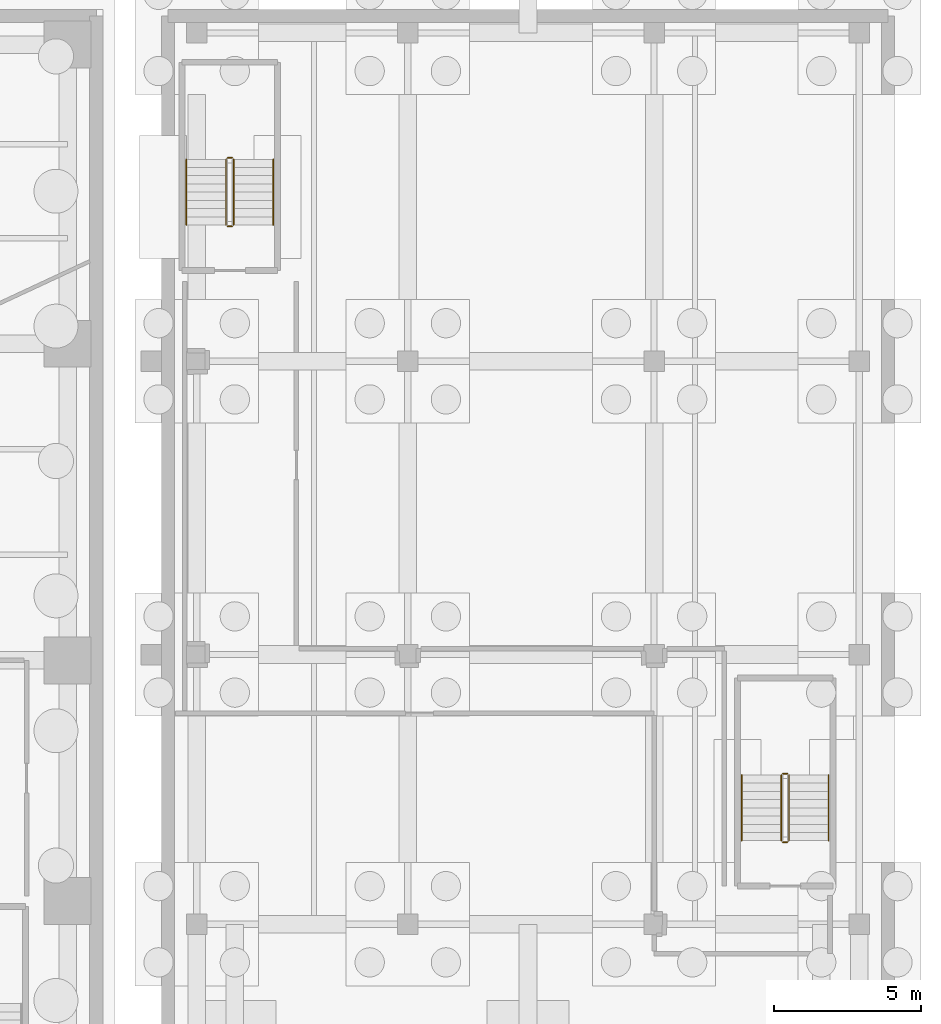
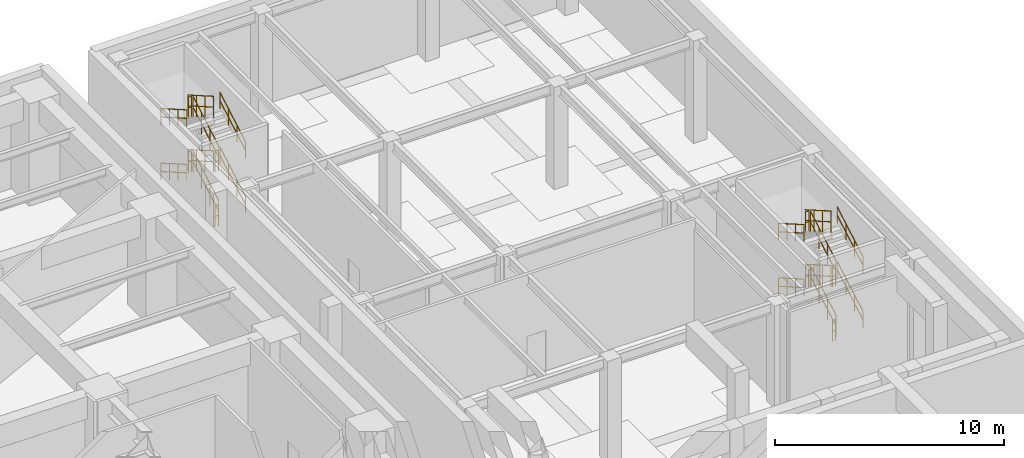
# One storey, part 14 of 15: 24 railings.
"""IFC4 building model written with IfcOpenShell, lengths in metres."""

from ifc_helpers import new_model, si_unit, direction, frame, origin, origin_2d, place, context, subcontext, project, spatial, circle, extrude, material, type_object, element, save


model = new_model("IFC4")

# Units and contexts
model_context = context("Model", 3, precision=1e-05, world=origin(), true_north=direction((0.0, 1.0)))
body_context = subcontext(model_context, "Body", "Model", "MODEL_VIEW")
ifc_project = project(units=[si_unit("LENGTHUNIT", "METRE"), si_unit("AREAUNIT", "SQUARE_METRE"), si_unit("VOLUMEUNIT", "CUBIC_METRE"), si_unit("PLANEANGLEUNIT", "RADIAN"), si_unit("MASSUNIT", "GRAM", prefix="KILO")], contexts=[model_context])

# Site, building, storey
site_placement = place(None, origin())
site = spatial("IfcSite", under=ifc_project, at=site_placement, CompositionType="ELEMENT")
building_placement = place(site_placement, origin())
building = spatial("IfcBuilding", under=site, at=building_placement, Name="Talar Marvaseh", CompositionType="ELEMENT")
storey_placement = place(building_placement, frame((0.0, 0.0, -11.60009765625)))
storey = spatial("IfcBuildingStorey", under=building, at=storey_placement, Name="B02", CompositionType="ELEMENT", Elevation=-11.60009765625)

# Railings
ifc_material = material(Name="Stainless Steel Grade 316", Category="steel")
railing_type_1 = type_object("IfcRailingType", Name="Brushed Stainless Wall Pitch Handrail 900", PredefinedType="HANDRAIL", material=ifc_material)
railing_1_placement = place(storey_placement, frame((57.81005859375, 40.64990234375, 0.1611328125)))
element("IfcRailing", 1, at=railing_1_placement, inside=storey, type_object=railing_type_1, Name="B02 MH-ST1 stair handrail 1", PredefinedType="HANDRAIL", context=body_context, shape_type="SweptSolid", body=[
    extrude(circle(Radius=0.02392578125, at=origin_2d()), frame((0.0, 0.0, 0.8759765625), z_axis=(0.0, 0.866727653441, 0.498781690482), x_axis=(-1.0, 0.0, 0.0)), (0.0, 0.0, 1.0), 2.58447265625),
    extrude(circle(Radius=0.02392578125, at=origin_2d()), frame((0.0, 0.0, 0.42578125), z_axis=(0.0, 0.866727653441, 0.498781690482), x_axis=(-1.0, 0.0, 0.0)), (0.0, 0.0, 1.0), 2.58447265625),
    extrude(circle(Radius=0.02099609375, at=origin_2d()), origin(), (0.0, 0.0, 1.0), 0.851806640625),
    extrude(circle(Radius=0.02099609375, at=origin_2d()), frame((0.0, 0.74658203125, 0.4296875)), (0.0, 0.0, 1.0), 0.851806640625),
    extrude(circle(Radius=0.02099609375, at=origin_2d()), frame((0.0, 1.493408203125, 0.859375)), (0.0, 0.0, 1.0), 0.851806640625),
    extrude(circle(Radius=0.02099609375, at=origin_2d()), frame((0.0, 2.239990234375, 1.2890625)), (0.0, 0.0, 1.0), 0.851806640625),
])
railing_2_placement = place(storey_placement, frame((54.85009765625, 42.889892578125, 1.611328125)))
element("IfcRailing", 2, at=railing_2_placement, inside=storey, type_object=railing_type_1, Name="B02 MH-ST1 stair handrail 2", PredefinedType="HANDRAIL", context=body_context, shape_type="SweptSolid", body=[
    extrude(circle(Radius=0.02392578125, at=origin_2d()), frame((0.0, 0.0, 0.8759765625), z_axis=(0.0, -0.866768490956, 0.498710720845), x_axis=(1.0, 0.0, 0.0)), (0.0, 0.0, 1.0), 2.584228515625),
    extrude(circle(Radius=0.02392578125, at=origin_2d()), frame((0.0, 0.0, 0.42578125), z_axis=(0.0, -0.866768490956, 0.498710720845), x_axis=(1.0, 0.0, 0.0)), (0.0, 0.0, 1.0), 2.584228515625),
    extrude(circle(Radius=0.02099609375, at=origin_2d()), origin(), (0.0, 0.0, 1.0), 0.851806640625),
    extrude(circle(Radius=0.02099609375, at=origin_2d()), frame((0.0, -0.74658203125, 0.4296875)), (0.0, 0.0, 1.0), 0.851806640625),
    extrude(circle(Radius=0.02099609375, at=origin_2d()), frame((0.0, -1.493408203125, 0.859130859375)), (0.0, 0.0, 1.0), 0.851806640625),
    extrude(circle(Radius=0.02099609375, at=origin_2d()), frame((0.0, -2.239990234375, 1.288818359375)), (0.0, 0.0, 1.0), 0.851806640625),
])
railing_3_placement = place(storey_placement, frame((57.81005859375, 40.64990234375, 3.061279296875)))
element("IfcRailing", 3, at=railing_3_placement, inside=storey, type_object=railing_type_1, Name="B02 MH-ST1 stair handrail 3", PredefinedType="HANDRAIL", context=body_context, shape_type="SweptSolid", body=[
    extrude(circle(Radius=0.02392578125, at=origin_2d()), frame((0.0, 0.0, 0.8759765625), z_axis=(0.0, 0.866768490956, 0.498710720845), x_axis=(-1.0, 0.0, 0.0)), (0.0, 0.0, 1.0), 2.584228515625),
    extrude(circle(Radius=0.02392578125, at=origin_2d()), frame((0.0, 0.0, 0.42578125), z_axis=(0.0, 0.866768490956, 0.498710720845), x_axis=(-1.0, 0.0, 0.0)), (0.0, 0.0, 1.0), 2.584228515625),
    extrude(circle(Radius=0.02099609375, at=origin_2d()), origin(), (0.0, 0.0, 1.0), 0.851806640625),
    extrude(circle(Radius=0.02099609375, at=origin_2d()), frame((0.0, 0.74658203125, 0.4296875)), (0.0, 0.0, 1.0), 0.851806640625),
    extrude(circle(Radius=0.02099609375, at=origin_2d()), frame((0.0, 1.493408203125, 0.859130859375)), (0.0, 0.0, 1.0), 0.851806640625),
    extrude(circle(Radius=0.02099609375, at=origin_2d()), frame((0.0, 2.239990234375, 1.288818359375)), (0.0, 0.0, 1.0), 0.851806640625),
])
railing_4_placement = place(storey_placement, frame((54.85009765625, 42.889892578125, 4.51123046875)))
element("IfcRailing", 4, at=railing_4_placement, inside=storey, type_object=railing_type_1, Name="B02 MH-ST1 stair handrail 4", PredefinedType="HANDRAIL", context=body_context, shape_type="SweptSolid", body=[
    extrude(circle(Radius=0.02392578125, at=origin_2d()), frame((0.0, 0.0, 0.8759765625), z_axis=(0.0, -0.866768490956, 0.498710720845), x_axis=(1.0, 0.0, 0.0)), (0.0, 0.0, 1.0), 2.584228515625),
    extrude(circle(Radius=0.02392578125, at=origin_2d()), frame((0.0, 0.0, 0.42578125), z_axis=(0.0, -0.866768490956, 0.498710720845), x_axis=(1.0, 0.0, 0.0)), (0.0, 0.0, 1.0), 2.584228515625),
    extrude(circle(Radius=0.02099609375, at=origin_2d()), origin(), (0.0, 0.0, 1.0), 0.851806640625),
    extrude(circle(Radius=0.02099609375, at=origin_2d()), frame((0.0, -0.74658203125, 0.4296875)), (0.0, 0.0, 1.0), 0.851806640625),
    extrude(circle(Radius=0.02099609375, at=origin_2d()), frame((0.0, -1.493408203125, 0.859130859375)), (0.0, 0.0, 1.0), 0.851806640625),
    extrude(circle(Radius=0.02099609375, at=origin_2d()), frame((0.0, -2.239990234375, 1.288818359375)), (0.0, 0.0, 1.0), 0.851806640625),
])
railing_5_placement = place(storey_placement, frame((76.75, 19.64990234375, 0.1611328125)))
element("IfcRailing", 5, at=railing_5_placement, inside=storey, type_object=railing_type_1, Name="B02 MH-ST2 stair handrail 1", PredefinedType="HANDRAIL", context=body_context, shape_type="SweptSolid", body=[
    extrude(circle(Radius=0.02392578125, at=origin_2d()), frame((0.0, 0.0, 0.8759765625), z_axis=(0.0, 0.866727653441, 0.498781690482), x_axis=(-1.0, 0.0, 0.0)), (0.0, 0.0, 1.0), 2.58447265625),
    extrude(circle(Radius=0.02392578125, at=origin_2d()), frame((0.0, 0.0, 0.42578125), z_axis=(0.0, 0.866727653441, 0.498781690482), x_axis=(-1.0, 0.0, 0.0)), (0.0, 0.0, 1.0), 2.58447265625),
    extrude(circle(Radius=0.02099609375, at=origin_2d()), origin(), (0.0, 0.0, 1.0), 0.851806640625),
    extrude(circle(Radius=0.02099609375, at=origin_2d()), frame((0.0, 0.74658203125, 0.4296875)), (0.0, 0.0, 1.0), 0.851806640625),
    extrude(circle(Radius=0.02099609375, at=origin_2d()), frame((0.0, 1.493408203125, 0.859375)), (0.0, 0.0, 1.0), 0.851806640625),
    extrude(circle(Radius=0.02099609375, at=origin_2d()), frame((0.0, 2.239990234375, 1.2890625)), (0.0, 0.0, 1.0), 0.851806640625),
])
railing_6_placement = place(storey_placement, frame((73.7900390625, 21.889892578125, 1.611328125)))
element("IfcRailing", 6, at=railing_6_placement, inside=storey, type_object=railing_type_1, Name="B02 MH-ST2 stair handrail 2", PredefinedType="HANDRAIL", context=body_context, shape_type="SweptSolid", body=[
    extrude(circle(Radius=0.02392578125, at=origin_2d()), frame((0.0, 0.0, 0.8759765625), z_axis=(0.0, -0.866768490956, 0.498710720845), x_axis=(1.0, 0.0, 0.0)), (0.0, 0.0, 1.0), 2.584228515625),
    extrude(circle(Radius=0.02392578125, at=origin_2d()), frame((0.0, 0.0, 0.42578125), z_axis=(0.0, -0.866768490956, 0.498710720845), x_axis=(1.0, 0.0, 0.0)), (0.0, 0.0, 1.0), 2.584228515625),
    extrude(circle(Radius=0.02099609375, at=origin_2d()), origin(), (0.0, 0.0, 1.0), 0.851806640625),
    extrude(circle(Radius=0.02099609375, at=origin_2d()), frame((0.0, -0.74658203125, 0.4296875)), (0.0, 0.0, 1.0), 0.851806640625),
    extrude(circle(Radius=0.02099609375, at=origin_2d()), frame((0.0, -1.493408203125, 0.859130859375)), (0.0, 0.0, 1.0), 0.851806640625),
    extrude(circle(Radius=0.02099609375, at=origin_2d()), frame((0.0, -2.239990234375, 1.288818359375)), (0.0, 0.0, 1.0), 0.851806640625),
])
railing_7_placement = place(storey_placement, frame((76.75, 19.64990234375, 3.061279296875)))
element("IfcRailing", 7, at=railing_7_placement, inside=storey, type_object=railing_type_1, Name="B02 MH-ST2 stair handrail 3", PredefinedType="HANDRAIL", context=body_context, shape_type="SweptSolid", body=[
    extrude(circle(Radius=0.02392578125, at=origin_2d()), frame((0.0, 0.0, 0.8759765625), z_axis=(0.0, 0.866768490956, 0.498710720845), x_axis=(-1.0, 0.0, 0.0)), (0.0, 0.0, 1.0), 2.584228515625),
    extrude(circle(Radius=0.02392578125, at=origin_2d()), frame((0.0, 0.0, 0.42578125), z_axis=(0.0, 0.866768490956, 0.498710720845), x_axis=(-1.0, 0.0, 0.0)), (0.0, 0.0, 1.0), 2.584228515625),
    extrude(circle(Radius=0.02099609375, at=origin_2d()), origin(), (0.0, 0.0, 1.0), 0.851806640625),
    extrude(circle(Radius=0.02099609375, at=origin_2d()), frame((0.0, 0.74658203125, 0.4296875)), (0.0, 0.0, 1.0), 0.851806640625),
    extrude(circle(Radius=0.02099609375, at=origin_2d()), frame((0.0, 1.493408203125, 0.859130859375)), (0.0, 0.0, 1.0), 0.851806640625),
    extrude(circle(Radius=0.02099609375, at=origin_2d()), frame((0.0, 2.239990234375, 1.288818359375)), (0.0, 0.0, 1.0), 0.851806640625),
])
railing_8_placement = place(storey_placement, frame((73.7900390625, 21.889892578125, 4.51123046875)))
element("IfcRailing", 8, at=railing_8_placement, inside=storey, type_object=railing_type_1, Name="B02 MH-ST2 stair handrail 4", PredefinedType="HANDRAIL", context=body_context, shape_type="SweptSolid", body=[
    extrude(circle(Radius=0.02392578125, at=origin_2d()), frame((0.0, 0.0, 0.8759765625), z_axis=(0.0, -0.866768490956, 0.498710720845), x_axis=(1.0, 0.0, 0.0)), (0.0, 0.0, 1.0), 2.584228515625),
    extrude(circle(Radius=0.02392578125, at=origin_2d()), frame((0.0, 0.0, 0.42578125), z_axis=(0.0, -0.866768490956, 0.498710720845), x_axis=(1.0, 0.0, 0.0)), (0.0, 0.0, 1.0), 2.584228515625),
    extrude(circle(Radius=0.02099609375, at=origin_2d()), origin(), (0.0, 0.0, 1.0), 0.851806640625),
    extrude(circle(Radius=0.02099609375, at=origin_2d()), frame((0.0, -0.74658203125, 0.4296875)), (0.0, 0.0, 1.0), 0.851806640625),
    extrude(circle(Radius=0.02099609375, at=origin_2d()), frame((0.0, -1.493408203125, 0.859130859375)), (0.0, 0.0, 1.0), 0.851806640625),
    extrude(circle(Radius=0.02099609375, at=origin_2d()), frame((0.0, -2.239990234375, 1.288818359375)), (0.0, 0.0, 1.0), 0.851806640625),
])
railing_type_2 = type_object("IfcRailingType", Name="Painted Steel Core Stair Well Guardrail 1150", PredefinedType="GUARDRAIL", material=ifc_material)
railing_9_placement = place(storey_placement, frame((56.4599609375, 40.64990234375, 0.1611328125)))
element("IfcRailing", 9, at=railing_9_placement, inside=storey, type_object=railing_type_2, Name="B02 MH-ST1 stair guard 1", PredefinedType="GUARDRAIL", context=body_context, shape_type="SweptSolid", body=[
    extrude(circle(Radius=0.02392578125, at=origin_2d()), frame((0.0, 0.0, 1.1259765625), z_axis=(0.0, 0.866727653441, 0.498781690482), x_axis=(-1.0, 0.0, 0.0)), (0.0, 0.0, 1.0), 2.58447265625),
    extrude(circle(Radius=0.02392578125, at=origin_2d()), frame((0.0, 0.0, 0.55078125), z_axis=(0.0, 0.866727653441, 0.498781690482), x_axis=(-1.0, 0.0, 0.0)), (0.0, 0.0, 1.0), 2.58447265625),
    extrude(circle(Radius=0.02099609375, at=origin_2d()), origin(), (0.0, 0.0, 1.0), 1.101806640625),
    extrude(circle(Radius=0.02099609375, at=origin_2d()), frame((0.0, 0.74658203125, 0.4296875)), (0.0, 0.0, 1.0), 1.101806640625),
    extrude(circle(Radius=0.02099609375, at=origin_2d()), frame((0.0, 1.493408203125, 0.859375)), (0.0, 0.0, 1.0), 1.101806640625),
    extrude(circle(Radius=0.02099609375, at=origin_2d()), frame((0.0, 2.239990234375, 1.2890625)), (0.0, 0.0, 1.0), 1.101806640625),
])
railing_10_placement = place(storey_placement, frame((56.409912109375, 42.93994140625, 1.4501953125)))
element("IfcRailing", 10, at=railing_10_placement, inside=storey, type_object=railing_type_2, Name="B02 MH-ST1 stair guard 2", PredefinedType="GUARDRAIL", context=body_context, shape_type="SweptSolid", body=[
    extrude(circle(Radius=0.02392578125, at=origin_2d()), frame((0.0, 0.0, 1.1259765625), z_axis=(-1.0, 0.0, 0.0), x_axis=(0.0, -1.0, 0.0)), (0.0, 0.0, 1.0), 0.159912109375),
    extrude(circle(Radius=0.02392578125, at=origin_2d()), frame((0.0, 0.0, 0.55078125), z_axis=(-1.0, 0.0, 0.0), x_axis=(0.0, -1.0, 0.0)), (0.0, 0.0, 1.0), 0.159912109375),
    extrude(circle(Radius=0.02099609375, at=origin_2d()), origin(), (0.0, 0.0, 1.0), 1.101806640625),
    extrude(circle(Radius=0.02099609375, at=origin_2d()), frame((-0.159912109375, 0.0, 0.0)), (0.0, 0.0, 1.0), 1.101806640625),
])
railing_11_placement = place(storey_placement, frame((56.199951171875, 42.889892578125, 1.611328125)))
element("IfcRailing", 11, at=railing_11_placement, inside=storey, type_object=railing_type_2, Name="B02 MH-ST1 stair guard 3", PredefinedType="GUARDRAIL", context=body_context, shape_type="SweptSolid", body=[
    extrude(circle(Radius=0.02392578125, at=origin_2d()), frame((0.0, 0.0, 1.1259765625), z_axis=(0.0, -0.866768490956, 0.498710720845), x_axis=(1.0, 0.0, 0.0)), (0.0, 0.0, 1.0), 2.584228515625),
    extrude(circle(Radius=0.02392578125, at=origin_2d()), frame((0.0, 0.0, 0.55078125), z_axis=(0.0, -0.866768490956, 0.498710720845), x_axis=(1.0, 0.0, 0.0)), (0.0, 0.0, 1.0), 2.584228515625),
    extrude(circle(Radius=0.02099609375, at=origin_2d()), origin(), (0.0, 0.0, 1.0), 1.101806640625),
    extrude(circle(Radius=0.02099609375, at=origin_2d()), frame((0.0, -0.74658203125, 0.4296875)), (0.0, 0.0, 1.0), 1.101806640625),
    extrude(circle(Radius=0.02099609375, at=origin_2d()), frame((0.0, -1.493408203125, 0.859130859375)), (0.0, 0.0, 1.0), 1.101806640625),
    extrude(circle(Radius=0.02099609375, at=origin_2d()), frame((0.0, -2.239990234375, 1.288818359375)), (0.0, 0.0, 1.0), 1.101806640625),
])
railing_12_placement = place(storey_placement, frame((56.409912109375, 40.60009765625, 2.900146484375)))
element("IfcRailing", 12, at=railing_12_placement, inside=storey, type_object=railing_type_2, Name="B02 MH-ST1 stair guard 4", PredefinedType="GUARDRAIL", context=body_context, shape_type="SweptSolid", body=[
    extrude(circle(Radius=0.02392578125, at=origin_2d()), frame((0.0, 0.0, 1.1259765625), z_axis=(-1.0, 0.0, 0.0), x_axis=(0.0, -1.0, 0.0)), (0.0, 0.0, 1.0), 0.159912109375),
    extrude(circle(Radius=0.02392578125, at=origin_2d()), frame((0.0, 0.0, 0.55078125), z_axis=(-1.0, 0.0, 0.0), x_axis=(0.0, -1.0, 0.0)), (0.0, 0.0, 1.0), 0.159912109375),
    extrude(circle(Radius=0.02099609375, at=origin_2d()), origin(), (0.0, 0.0, 1.0), 1.101806640625),
    extrude(circle(Radius=0.02099609375, at=origin_2d()), frame((-0.159912109375, 0.0, 0.0)), (0.0, 0.0, 1.0), 1.101806640625),
])
railing_13_placement = place(storey_placement, frame((56.4599609375, 40.64990234375, 3.061279296875)))
element("IfcRailing", 13, at=railing_13_placement, inside=storey, type_object=railing_type_2, Name="B02 MH-ST1 stair guard 5", PredefinedType="GUARDRAIL", context=body_context, shape_type="SweptSolid", body=[
    extrude(circle(Radius=0.02392578125, at=origin_2d()), frame((0.0, 0.0, 1.1259765625), z_axis=(0.0, 0.866768490956, 0.498710720845), x_axis=(-1.0, 0.0, 0.0)), (0.0, 0.0, 1.0), 2.584228515625),
    extrude(circle(Radius=0.02392578125, at=origin_2d()), frame((0.0, 0.0, 0.55078125), z_axis=(0.0, 0.866768490956, 0.498710720845), x_axis=(-1.0, 0.0, 0.0)), (0.0, 0.0, 1.0), 2.584228515625),
    extrude(circle(Radius=0.02099609375, at=origin_2d()), origin(), (0.0, 0.0, 1.0), 1.101806640625),
    extrude(circle(Radius=0.02099609375, at=origin_2d()), frame((0.0, 0.74658203125, 0.4296875)), (0.0, 0.0, 1.0), 1.101806640625),
    extrude(circle(Radius=0.02099609375, at=origin_2d()), frame((0.0, 1.493408203125, 0.859130859375)), (0.0, 0.0, 1.0), 1.101806640625),
    extrude(circle(Radius=0.02099609375, at=origin_2d()), frame((0.0, 2.239990234375, 1.288818359375)), (0.0, 0.0, 1.0), 1.101806640625),
])
railing_14_placement = place(storey_placement, frame((56.409912109375, 42.93994140625, 4.35009765625)))
element("IfcRailing", 14, at=railing_14_placement, inside=storey, type_object=railing_type_2, Name="B02 MH-ST1 stair guard 6", PredefinedType="GUARDRAIL", context=body_context, shape_type="SweptSolid", body=[
    extrude(circle(Radius=0.02392578125, at=origin_2d()), frame((0.0, 0.0, 1.1259765625), z_axis=(-1.0, 0.0, 0.0), x_axis=(0.0, -1.0, 0.0)), (0.0, 0.0, 1.0), 0.159912109375),
    extrude(circle(Radius=0.02392578125, at=origin_2d()), frame((0.0, 0.0, 0.55078125), z_axis=(-1.0, 0.0, 0.0), x_axis=(0.0, -1.0, 0.0)), (0.0, 0.0, 1.0), 0.159912109375),
    extrude(circle(Radius=0.02099609375, at=origin_2d()), origin(), (0.0, 0.0, 1.0), 1.101806640625),
    extrude(circle(Radius=0.02099609375, at=origin_2d()), frame((-0.159912109375, 0.0, 0.0)), (0.0, 0.0, 1.0), 1.101806640625),
])
railing_15_placement = place(storey_placement, frame((56.199951171875, 42.889892578125, 4.51123046875)))
element("IfcRailing", 15, at=railing_15_placement, inside=storey, type_object=railing_type_2, Name="B02 MH-ST1 stair guard 7", PredefinedType="GUARDRAIL", context=body_context, shape_type="SweptSolid", body=[
    extrude(circle(Radius=0.02392578125, at=origin_2d()), frame((0.0, 0.0, 1.1259765625), z_axis=(0.0, -0.866768490956, 0.498710720845), x_axis=(1.0, 0.0, 0.0)), (0.0, 0.0, 1.0), 2.584228515625),
    extrude(circle(Radius=0.02392578125, at=origin_2d()), frame((0.0, 0.0, 0.55078125), z_axis=(0.0, -0.866768490956, 0.498710720845), x_axis=(1.0, 0.0, 0.0)), (0.0, 0.0, 1.0), 2.584228515625),
    extrude(circle(Radius=0.02099609375, at=origin_2d()), origin(), (0.0, 0.0, 1.0), 1.101806640625),
    extrude(circle(Radius=0.02099609375, at=origin_2d()), frame((0.0, -0.74658203125, 0.4296875)), (0.0, 0.0, 1.0), 1.101806640625),
    extrude(circle(Radius=0.02099609375, at=origin_2d()), frame((0.0, -1.493408203125, 0.859130859375)), (0.0, 0.0, 1.0), 1.101806640625),
    extrude(circle(Radius=0.02099609375, at=origin_2d()), frame((0.0, -2.239990234375, 1.288818359375)), (0.0, 0.0, 1.0), 1.101806640625),
])
railing_16_placement = place(storey_placement, frame((56.409912109375, 40.60009765625, 0.0)))
element("IfcRailing", 16, at=railing_16_placement, inside=storey, type_object=railing_type_2, Name="B02 MH-ST1 stair guard 8", PredefinedType="GUARDRAIL", context=body_context, shape_type="SweptSolid", body=[
    extrude(circle(Radius=0.02392578125, at=origin_2d()), frame((0.0, 0.0, 1.1259765625), z_axis=(-1.0, 0.0, 0.0), x_axis=(0.0, -1.0, 0.0)), (0.0, 0.0, 1.0), 0.159912109375),
    extrude(circle(Radius=0.02392578125, at=origin_2d()), frame((0.0, 0.0, 0.55078125), z_axis=(-1.0, 0.0, 0.0), x_axis=(0.0, -1.0, 0.0)), (0.0, 0.0, 1.0), 0.159912109375),
    extrude(circle(Radius=0.02099609375, at=origin_2d()), origin(), (0.0, 0.0, 1.0), 1.101806640625),
    extrude(circle(Radius=0.02099609375, at=origin_2d()), frame((-0.159912109375, 0.0, 0.0)), (0.0, 0.0, 1.0), 1.101806640625),
])
railing_17_placement = place(storey_placement, frame((75.39990234375, 19.64990234375, 0.1611328125)))
element("IfcRailing", 17, at=railing_17_placement, inside=storey, type_object=railing_type_2, Name="B02 MH-ST2 stair guard 1", PredefinedType="GUARDRAIL", context=body_context, shape_type="SweptSolid", body=[
    extrude(circle(Radius=0.02392578125, at=origin_2d()), frame((0.0, 0.0, 1.1259765625), z_axis=(0.0, 0.866727653441, 0.498781690482), x_axis=(-1.0, 0.0, 0.0)), (0.0, 0.0, 1.0), 2.58447265625),
    extrude(circle(Radius=0.02392578125, at=origin_2d()), frame((0.0, 0.0, 0.55078125), z_axis=(0.0, 0.866727653441, 0.498781690482), x_axis=(-1.0, 0.0, 0.0)), (0.0, 0.0, 1.0), 2.58447265625),
    extrude(circle(Radius=0.02099609375, at=origin_2d()), origin(), (0.0, 0.0, 1.0), 1.101806640625),
    extrude(circle(Radius=0.02099609375, at=origin_2d()), frame((0.0, 0.74658203125, 0.4296875)), (0.0, 0.0, 1.0), 1.101806640625),
    extrude(circle(Radius=0.02099609375, at=origin_2d()), frame((0.0, 1.493408203125, 0.859375)), (0.0, 0.0, 1.0), 1.101806640625),
    extrude(circle(Radius=0.02099609375, at=origin_2d()), frame((0.0, 2.239990234375, 1.2890625)), (0.0, 0.0, 1.0), 1.101806640625),
])
railing_18_placement = place(storey_placement, frame((75.35009765625, 21.93994140625, 1.4501953125)))
element("IfcRailing", 18, at=railing_18_placement, inside=storey, type_object=railing_type_2, Name="B02 MH-ST2 stair guard 2", PredefinedType="GUARDRAIL", context=body_context, shape_type="SweptSolid", body=[
    extrude(circle(Radius=0.02392578125, at=origin_2d()), frame((0.0, 0.0, 1.1259765625), z_axis=(-1.0, 0.0, 0.0), x_axis=(0.0, -1.0, 0.0)), (0.0, 0.0, 1.0), 0.16015625),
    extrude(circle(Radius=0.02392578125, at=origin_2d()), frame((0.0, 0.0, 0.55078125), z_axis=(-1.0, 0.0, 0.0), x_axis=(0.0, -1.0, 0.0)), (0.0, 0.0, 1.0), 0.16015625),
    extrude(circle(Radius=0.02099609375, at=origin_2d()), origin(), (0.0, 0.0, 1.0), 1.101806640625),
    extrude(circle(Radius=0.02099609375, at=origin_2d()), frame((-0.16015625, 0.0, 0.0)), (0.0, 0.0, 1.0), 1.101806640625),
])
railing_19_placement = place(storey_placement, frame((75.139892578125, 21.889892578125, 1.611328125)))
element("IfcRailing", 19, at=railing_19_placement, inside=storey, type_object=railing_type_2, Name="B02 MH-ST2 stair guard 3", PredefinedType="GUARDRAIL", context=body_context, shape_type="SweptSolid", body=[
    extrude(circle(Radius=0.02392578125, at=origin_2d()), frame((0.0, 0.0, 1.1259765625), z_axis=(0.0, -0.866768490956, 0.498710720845), x_axis=(1.0, 0.0, 0.0)), (0.0, 0.0, 1.0), 2.584228515625),
    extrude(circle(Radius=0.02392578125, at=origin_2d()), frame((0.0, 0.0, 0.55078125), z_axis=(0.0, -0.866768490956, 0.498710720845), x_axis=(1.0, 0.0, 0.0)), (0.0, 0.0, 1.0), 2.584228515625),
    extrude(circle(Radius=0.02099609375, at=origin_2d()), origin(), (0.0, 0.0, 1.0), 1.101806640625),
    extrude(circle(Radius=0.02099609375, at=origin_2d()), frame((0.0, -0.74658203125, 0.4296875)), (0.0, 0.0, 1.0), 1.101806640625),
    extrude(circle(Radius=0.02099609375, at=origin_2d()), frame((0.0, -1.493408203125, 0.859130859375)), (0.0, 0.0, 1.0), 1.101806640625),
    extrude(circle(Radius=0.02099609375, at=origin_2d()), frame((0.0, -2.239990234375, 1.288818359375)), (0.0, 0.0, 1.0), 1.101806640625),
])
railing_20_placement = place(storey_placement, frame((75.35009765625, 19.60009765625, 2.900146484375)))
element("IfcRailing", 20, at=railing_20_placement, inside=storey, type_object=railing_type_2, Name="B02 MH-ST2 stair guard 4", PredefinedType="GUARDRAIL", context=body_context, shape_type="SweptSolid", body=[
    extrude(circle(Radius=0.02392578125, at=origin_2d()), frame((0.0, 0.0, 1.1259765625), z_axis=(-1.0, 0.0, 0.0), x_axis=(0.0, -1.0, 0.0)), (0.0, 0.0, 1.0), 0.16015625),
    extrude(circle(Radius=0.02392578125, at=origin_2d()), frame((0.0, 0.0, 0.55078125), z_axis=(-1.0, 0.0, 0.0), x_axis=(0.0, -1.0, 0.0)), (0.0, 0.0, 1.0), 0.16015625),
    extrude(circle(Radius=0.02099609375, at=origin_2d()), origin(), (0.0, 0.0, 1.0), 1.101806640625),
    extrude(circle(Radius=0.02099609375, at=origin_2d()), frame((-0.16015625, 0.0, 0.0)), (0.0, 0.0, 1.0), 1.101806640625),
])
railing_21_placement = place(storey_placement, frame((75.39990234375, 19.64990234375, 3.061279296875)))
element("IfcRailing", 21, at=railing_21_placement, inside=storey, type_object=railing_type_2, Name="B02 MH-ST2 stair guard 5", PredefinedType="GUARDRAIL", context=body_context, shape_type="SweptSolid", body=[
    extrude(circle(Radius=0.02392578125, at=origin_2d()), frame((0.0, 0.0, 1.1259765625), z_axis=(0.0, 0.866768490956, 0.498710720845), x_axis=(-1.0, 0.0, 0.0)), (0.0, 0.0, 1.0), 2.584228515625),
    extrude(circle(Radius=0.02392578125, at=origin_2d()), frame((0.0, 0.0, 0.55078125), z_axis=(0.0, 0.866768490956, 0.498710720845), x_axis=(-1.0, 0.0, 0.0)), (0.0, 0.0, 1.0), 2.584228515625),
    extrude(circle(Radius=0.02099609375, at=origin_2d()), origin(), (0.0, 0.0, 1.0), 1.101806640625),
    extrude(circle(Radius=0.02099609375, at=origin_2d()), frame((0.0, 0.74658203125, 0.4296875)), (0.0, 0.0, 1.0), 1.101806640625),
    extrude(circle(Radius=0.02099609375, at=origin_2d()), frame((0.0, 1.493408203125, 0.859130859375)), (0.0, 0.0, 1.0), 1.101806640625),
    extrude(circle(Radius=0.02099609375, at=origin_2d()), frame((0.0, 2.239990234375, 1.288818359375)), (0.0, 0.0, 1.0), 1.101806640625),
])
railing_22_placement = place(storey_placement, frame((75.35009765625, 21.93994140625, 4.35009765625)))
element("IfcRailing", 22, at=railing_22_placement, inside=storey, type_object=railing_type_2, Name="B02 MH-ST2 stair guard 6", PredefinedType="GUARDRAIL", context=body_context, shape_type="SweptSolid", body=[
    extrude(circle(Radius=0.02392578125, at=origin_2d()), frame((0.0, 0.0, 1.1259765625), z_axis=(-1.0, 0.0, 0.0), x_axis=(0.0, -1.0, 0.0)), (0.0, 0.0, 1.0), 0.16015625),
    extrude(circle(Radius=0.02392578125, at=origin_2d()), frame((0.0, 0.0, 0.55078125), z_axis=(-1.0, 0.0, 0.0), x_axis=(0.0, -1.0, 0.0)), (0.0, 0.0, 1.0), 0.16015625),
    extrude(circle(Radius=0.02099609375, at=origin_2d()), origin(), (0.0, 0.0, 1.0), 1.101806640625),
    extrude(circle(Radius=0.02099609375, at=origin_2d()), frame((-0.16015625, 0.0, 0.0)), (0.0, 0.0, 1.0), 1.101806640625),
])
railing_23_placement = place(storey_placement, frame((75.139892578125, 21.889892578125, 4.51123046875)))
element("IfcRailing", 23, at=railing_23_placement, inside=storey, type_object=railing_type_2, Name="B02 MH-ST2 stair guard 7", PredefinedType="GUARDRAIL", context=body_context, shape_type="SweptSolid", body=[
    extrude(circle(Radius=0.02392578125, at=origin_2d()), frame((0.0, 0.0, 1.1259765625), z_axis=(0.0, -0.866768490956, 0.498710720845), x_axis=(1.0, 0.0, 0.0)), (0.0, 0.0, 1.0), 2.584228515625),
    extrude(circle(Radius=0.02392578125, at=origin_2d()), frame((0.0, 0.0, 0.55078125), z_axis=(0.0, -0.866768490956, 0.498710720845), x_axis=(1.0, 0.0, 0.0)), (0.0, 0.0, 1.0), 2.584228515625),
    extrude(circle(Radius=0.02099609375, at=origin_2d()), origin(), (0.0, 0.0, 1.0), 1.101806640625),
    extrude(circle(Radius=0.02099609375, at=origin_2d()), frame((0.0, -0.74658203125, 0.4296875)), (0.0, 0.0, 1.0), 1.101806640625),
    extrude(circle(Radius=0.02099609375, at=origin_2d()), frame((0.0, -1.493408203125, 0.859130859375)), (0.0, 0.0, 1.0), 1.101806640625),
    extrude(circle(Radius=0.02099609375, at=origin_2d()), frame((0.0, -2.239990234375, 1.288818359375)), (0.0, 0.0, 1.0), 1.101806640625),
])
railing_24_placement = place(storey_placement, frame((75.35009765625, 19.60009765625, 0.0)))
element("IfcRailing", 24, at=railing_24_placement, inside=storey, type_object=railing_type_2, Name="B02 MH-ST2 stair guard 8", PredefinedType="GUARDRAIL", context=body_context, shape_type="SweptSolid", body=[
    extrude(circle(Radius=0.02392578125, at=origin_2d()), frame((0.0, 0.0, 1.1259765625), z_axis=(-1.0, 0.0, 0.0), x_axis=(0.0, -1.0, 0.0)), (0.0, 0.0, 1.0), 0.16015625),
    extrude(circle(Radius=0.02392578125, at=origin_2d()), frame((0.0, 0.0, 0.55078125), z_axis=(-1.0, 0.0, 0.0), x_axis=(0.0, -1.0, 0.0)), (0.0, 0.0, 1.0), 0.16015625),
    extrude(circle(Radius=0.02099609375, at=origin_2d()), origin(), (0.0, 0.0, 1.0), 1.101806640625),
    extrude(circle(Radius=0.02099609375, at=origin_2d()), frame((-0.16015625, 0.0, 0.0)), (0.0, 0.0, 1.0), 1.101806640625),
])

save(model, "model.ifc")
